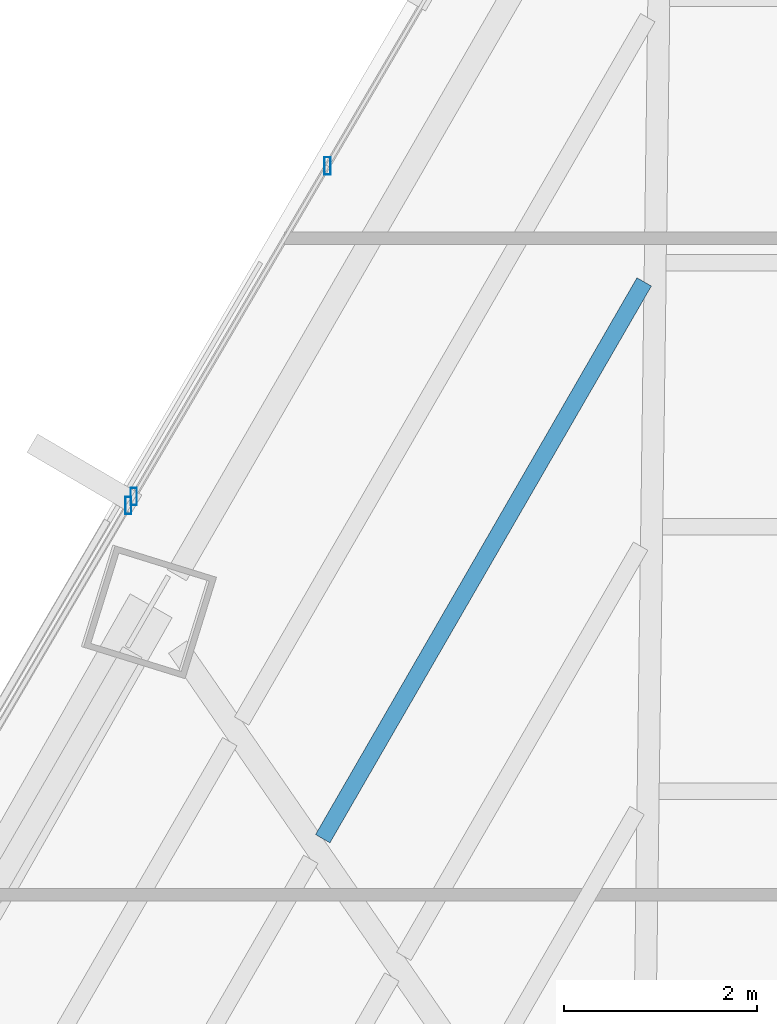
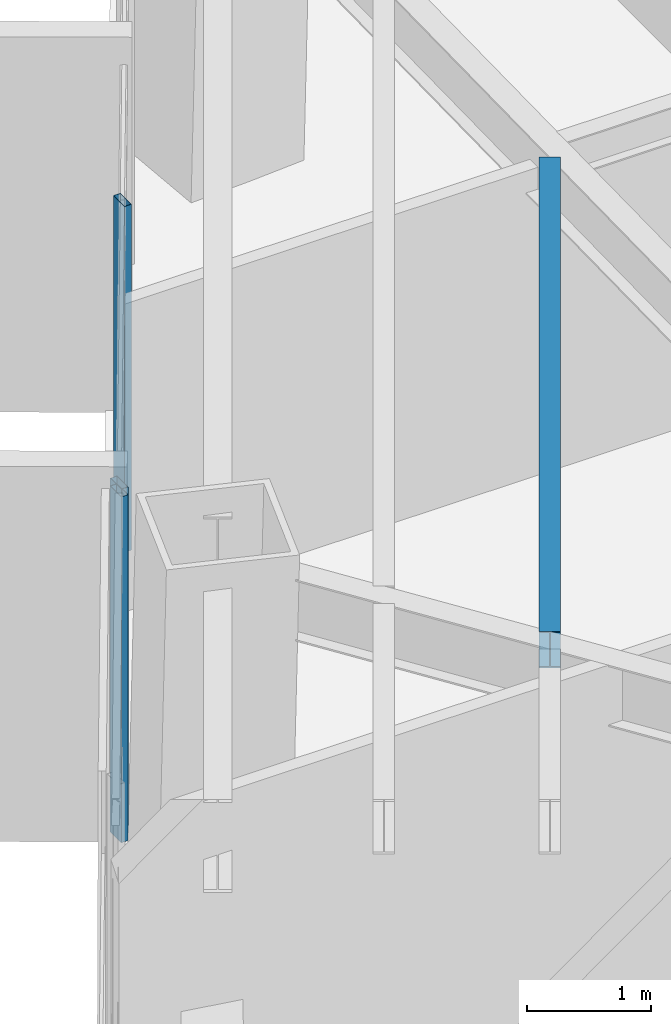
# One storey, part 23 of 35: 3 members, 1 beam, 2 elements without a shape of their own.
"""IFC4 building model written with IfcOpenShell, lengths in metres."""

from ifc_helpers import new_model, si_unit, direction, frame, origin, origin_2d, place, context, subcontext, project, spatial, hollow_rectangle, i_section, extrude, source, transform, mapped, material, material_profile, profile_set, type_object, type_shapes, element, aggregate, save


model = new_model("IFC4")

# Units and contexts
model_context = context("Model", 3, precision=1e-05, world=origin(), true_north=direction((0.0, 1.0)))
body_context = subcontext(model_context, "Body", "Model", "MODEL_VIEW")
ifc_project = project(units=[si_unit("LENGTHUNIT", "METRE"), si_unit("AREAUNIT", "SQUARE_METRE"), si_unit("VOLUMEUNIT", "CUBIC_METRE"), si_unit("PLANEANGLEUNIT", "RADIAN"), si_unit("MASSUNIT", "GRAM", prefix="KILO")], contexts=[model_context])

# Site, building, storey
site_placement = place(None, origin())
site = spatial("IfcSite", under=ifc_project, at=site_placement, CompositionType="ELEMENT")
building_placement = place(site_placement, origin())
building = spatial("IfcBuilding", under=site, at=building_placement, Name="Caelisora Broadcast Tower", CompositionType="ELEMENT")
storey_placement = place(building_placement, frame((0.0, 0.0, 109.050048828125)))
storey = spatial("IfcBuildingStorey", under=building, at=storey_placement, Name="L28", CompositionType="ELEMENT", Elevation=109.050048828125)

# Beam
ifc_material_1 = material(Name="Steel Grade 350 (AS/NZS 3679.1)", Category="steel")
ifc_material_profile_1 = material_profile(ifc_material_1, i_section(OverallWidth=0.172119140625, OverallDepth=0.358642578125, WebThickness=0.008056640625, FlangeThickness=0.012939453125, at=origin_2d()), Name="Steel Grade 350 (AS/NZS 3679.1)")
ifc_profile_set_1 = profile_set([ifc_material_profile_1], Name="Steel Grade 350 (AS/NZS 3679.1)")
beam_type = type_object("IfcBeamType", Name="SB02", PredefinedType="JOIST", material=ifc_profile_set_1)
shared_shape_1 = source(origin(), body_context, "Body", "SweptSolid", [
    extrude(i_section(OverallWidth=0.172119140625, OverallDepth=0.358642578125, WebThickness=0.008056640625, FlangeThickness=0.012939453125, at=origin_2d()), origin(), (0.0, 0.0, 1.0), 6.658935546875),
])
type_shapes(beam_type, [shared_shape_1])
beam_placement = place(storey_placement, frame((30.5322265625, 40.748291015625, 3.220703125), z_axis=(-0.499983756713, -0.866034781647, 0.0), x_axis=(0.866034781647, -0.499983756713, 0.0)))
element("IfcBeam", 1, at=beam_placement, inside=storey, type_object=beam_type, Name="L28 beam SB02", PredefinedType="JOIST", context=body_context, shape_type="MappedRepresentation", body=[
    mapped(shared_shape_1, transform((0.0, 0.0, 0.0), scale=1.0)),
])

# Curtain wall, member
ifc_material_2 = material(Name="Unitised Aluminium Insulated Shadow-Box Spandrel Curtain Wall", Category="aluminium")
curtain_wall_type_1 = type_object("IfcCurtainWallType", Name="CW-SP1", PredefinedType="NOTDEFINED", material=ifc_material_2)
curtain_wall_1_placement = place(storey_placement, origin())
curtain_wall_1 = element("IfcCurtainWall", 2, at=curtain_wall_1_placement, inside=storey, type_object=curtain_wall_type_1, Name="L28 curtain wall CW-SP1", PredefinedType="NOTDEFINED")
ifc_material_3 = material(Name="Aluminium 6063-T6 Anodised Terracotta Bronze", Category="aluminium")
ifc_material_profile_2 = material_profile(ifc_material_3, hollow_rectangle(XDim=0.06494140625, YDim=0.179931640625, WallThickness=0.00341796875, at=origin_2d()), Name="Aluminium 6063-T6 Anodised Terracotta Bronze")
ifc_profile_set_2 = profile_set([ifc_material_profile_2], Name="Aluminium 6063-T6 Anodised Terracotta Bronze")
member_type = type_object("IfcMemberType", Name="CWM-02", PredefinedType="MULLION", material=ifc_profile_set_2)
shared_shape_2 = source(origin(), body_context, "Body", "SweptSolid", [
    extrude(hollow_rectangle(XDim=0.06494140625, YDim=0.179931640625, WallThickness=0.00341796875, at=origin_2d()), origin(), (0.0, 0.0, 1.0), 3.39990234375),
])
type_shapes(member_type, [shared_shape_2])
member_1_placement = place(storey_placement, frame((25.189697265625, 38.431396484375, 0.0), z_axis=(0.0, 0.0, 1.0), x_axis=(1.0, 0.0, 0.0)))
member_1 = element("IfcMember", 3, at=member_1_placement, type_object=member_type, Name="L28-CW-B10 mullion #3", PredefinedType="MULLION", context=body_context, shape_type="MappedRepresentation", body=[
    mapped(shared_shape_2, transform((0.0, 0.0, 0.0), scale=1.0)),
])
aggregate(curtain_wall_1, [member_1])

# Curtain wall, members
ifc_material_4 = material(Name="Unitised Aluminium and Low-E Glass Curtain Wall", Category="glass")
curtain_wall_type_2 = type_object("IfcCurtainWallType", Name="CW-Z2", PredefinedType="NOTDEFINED", material=ifc_material_4)
curtain_wall_2_placement = place(storey_placement, origin())
curtain_wall_2 = element("IfcCurtainWall", 4, at=curtain_wall_2_placement, inside=storey, type_object=curtain_wall_type_2, Name="L28 curtain wall CW-Z2", PredefinedType="NOTDEFINED")
member_2_placement = place(storey_placement, frame((25.245361328125, 38.526123046875, 0.0), z_axis=(0.0, 0.0, 1.0), x_axis=(1.0, 0.0, 0.0)))
member_2 = element("IfcMember", 5, at=member_2_placement, type_object=member_type, Name="L28-CW-B11 mullion #0", PredefinedType="MULLION", context=body_context, shape_type="MappedRepresentation", body=[
    mapped(shared_shape_2, transform((0.0, 0.0, 0.0), scale=1.0)),
])
member_3_placement = place(storey_placement, frame((27.251708984375, 41.95068359375, 0.0), z_axis=(0.0, 0.0, 1.0), x_axis=(1.0, 0.0, 0.0)))
member_3 = element("IfcMember", 6, at=member_3_placement, type_object=member_type, Name="L28-CW-B11 mullion #1", PredefinedType="MULLION", context=body_context, shape_type="MappedRepresentation", body=[
    mapped(shared_shape_2, transform((0.0, 0.0, 0.0), scale=1.0)),
])
aggregate(curtain_wall_2, [member_2, member_3])

save(model, "model.ifc")
